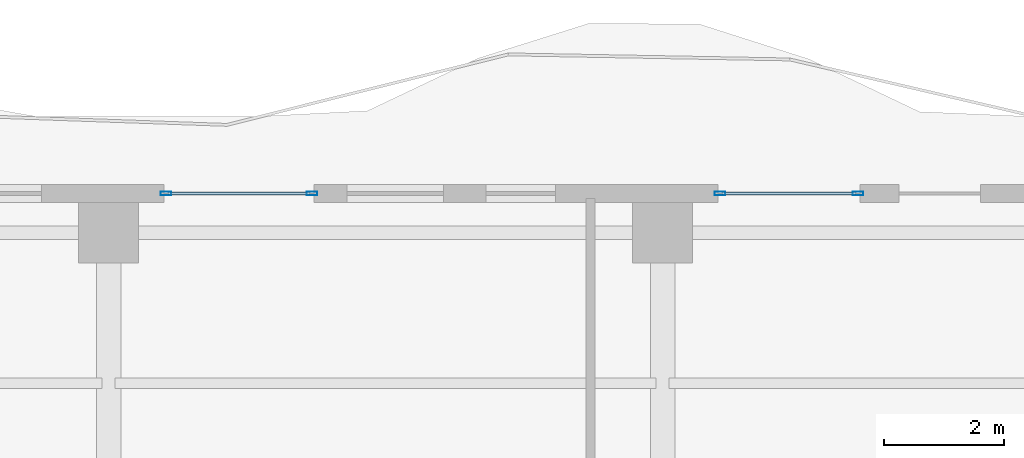
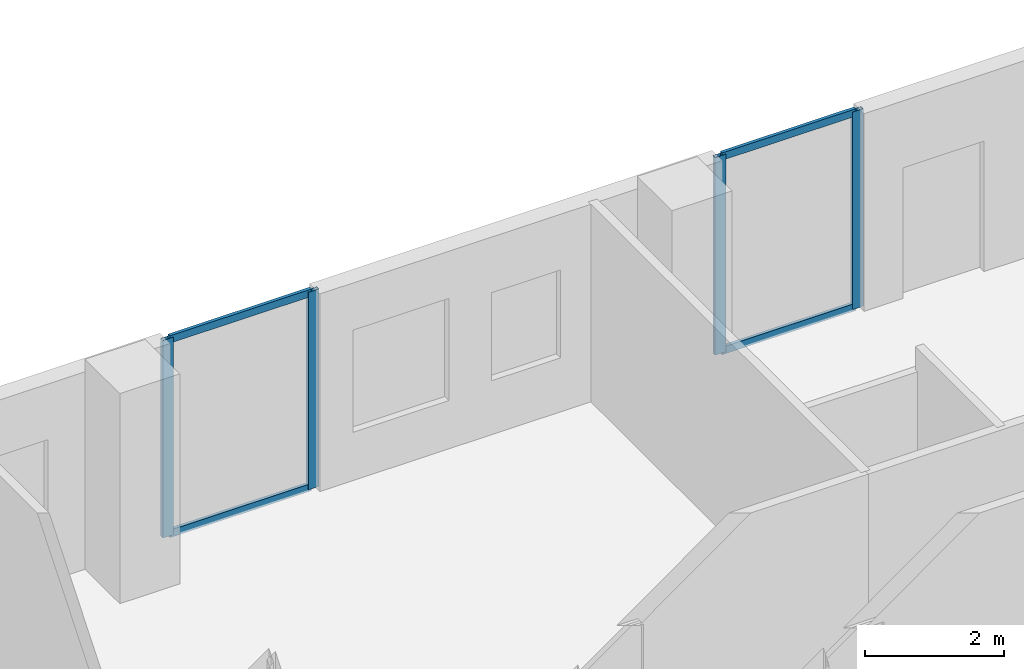
# One storey, part 14 of 24: 8 members, 2 elements without a shape of their own.
"""IFC4 building model written with IfcOpenShell, lengths in metres."""

import ifcopenshell
import ifcopenshell.guid

model = None  # the IFC model being written
_history = None  # IfcOwnerHistory: only IFC2X3 demands one
_inside = {}  # id of a spatial element -> (the spatial element, [elements in it])
_under = {}  # id of a project, library or spatial element -> (it, [spatial elements below it])
_declared = {}  # id of a project -> (the project, [libraries it declares])
_typed = {}  # id of a type object -> (the type object, [elements of that type])
_made_of = {}  # id of a material, layer set ... -> (it, [elements and type objects made of it])


def new_model(schema):
    """Start an empty IFC model of exactly this schema.

    Asked for "IFC4X3", IfcOpenShell would pick the latest addendum, in which some entities
    have other attributes; the version numbers below select the first issue.
    IFC2X3 requires an IfcOwnerHistory on every rooted entity: one is made here for all.
    """
    global model, _history
    if schema == "IFC4X3":
        model = ifcopenshell.file(schema_version=(4, 3, 0, 0))
    else:
        model = ifcopenshell.file(schema=schema)
    _inside.clear()
    _under.clear()
    _declared.clear()
    _typed.clear()
    _made_of.clear()
    _history = None
    if model.schema == "IFC2X3":
        org = make("IfcOrganization", Name="unknown")
        user = make(
            "IfcPersonAndOrganization",
            ThePerson=make("IfcPerson", FamilyName="unknown"),
            TheOrganization=org,
        )
        app = make(
            "IfcApplication",
            ApplicationDeveloper=org,
            Version="unknown",
            ApplicationFullName="unknown",
            ApplicationIdentifier="unknown",
        )
        _history = make(
            "IfcOwnerHistory",
            OwningUser=user,
            OwningApplication=app,
            ChangeAction="ADDED",
            CreationDate=0,
        )
    return model


def make(cls, **values):
    """One entity of the class cls with the attributes given. An attribute that is None is left unset."""
    return model.create_entity(
        cls, **{name: value for name, value in values.items() if value is not None}
    )


def rooted(cls, **values):
    """An entity with a GlobalId (a new one), such as an element, a storey or a relation."""
    return make(cls, GlobalId=ifcopenshell.guid.new(), OwnerHistory=_history, **values)


def si_unit(unit_type, name, prefix=None):
    """IfcSIUnit, for example si_unit("LENGTHUNIT", "METRE", prefix="MILLI")."""
    return make("IfcSIUnit", UnitType=unit_type, Prefix=prefix, Name=name)


def assignment(units):
    """IfcUnitAssignment: the units of a project."""
    return None if units is None else make("IfcUnitAssignment", Units=units)


def point(xyz):
    """IfcCartesianPoint."""
    return None if xyz is None else make("IfcCartesianPoint", Coordinates=xyz)


def direction(xyz):
    """IfcDirection."""
    return None if xyz is None else make("IfcDirection", DirectionRatios=xyz)


def frame(location, z_axis=None, x_axis=None):
    """IfcAxis2Placement3D, a coordinate frame: its origin and axes. An axis left out is left unset."""
    return make(
        "IfcAxis2Placement3D",
        Location=point(location),
        Axis=direction(z_axis),
        RefDirection=direction(x_axis),
    )


def frame_2d(location, x_axis=None):
    """IfcAxis2Placement2D, a coordinate frame in the plane: its origin and x axis."""
    return make(
        "IfcAxis2Placement2D", Location=point(location), RefDirection=direction(x_axis)
    )


def origin():
    """The frame at (0, 0, 0) with its axes left unset."""
    return frame((0.0, 0.0, 0.0))


def origin_2d():
    """The frame at (0, 0) in the plane with its x axis left unset."""
    return frame_2d((0.0, 0.0))


def place(relative_to, where):
    """IfcLocalPlacement: puts the frame where relative to a parent placement (None: the world)."""
    return make(
        "IfcLocalPlacement", PlacementRelTo=relative_to, RelativePlacement=where
    )


def context(
    kind, dimensions, precision=None, world=None, true_north=None, identifier=None
):
    """IfcGeometricRepresentationContext, for example the 3D "Model" context."""
    return make(
        "IfcGeometricRepresentationContext",
        ContextIdentifier=identifier,
        ContextType=kind,
        CoordinateSpaceDimension=dimensions,
        Precision=precision,
        WorldCoordinateSystem=world,
        TrueNorth=true_north,
    )


def subcontext(parent, identifier, kind, view, scale=None):
    """IfcGeometricRepresentationSubContext, for example "Body" below "Model"."""
    return make(
        "IfcGeometricRepresentationSubContext",
        ContextIdentifier=identifier,
        ContextType=kind,
        ParentContext=parent,
        TargetScale=scale,
        TargetView=view,
    )


def project(units=None, contexts=None):
    """IfcProject with its units and contexts."""
    return rooted(
        "IfcProject",
        Name="project",
        RepresentationContexts=contexts,
        UnitsInContext=assignment(units),
    )


def spatial(cls, under=None, at=None, **own):
    """A site, building, storey or space (cls), placed at a placement, below another one or the project."""
    s = rooted(cls, ObjectPlacement=at, **own)
    if under is not None:
        _under.setdefault(under.id(), (under, []))[1].append(s)
    return s


def profile(cls, at=None, kind="AREA", **sizes):
    """A parametric profile (cls). Its sizes go by their IFC names, for example OverallWidth=200.0."""
    return make(cls, ProfileType=kind, Position=at, **sizes)


def hollow_rectangle(**sizes):
    """IfcRectangleHollowProfileDef."""
    return profile("IfcRectangleHollowProfileDef", **sizes)


def extrude(swept, where, along, depth):
    """IfcExtrudedAreaSolid: the profile swept, set in the frame where, extruded along a direction by depth."""
    return make(
        "IfcExtrudedAreaSolid",
        SweptArea=swept,
        Position=where,
        ExtrudedDirection=direction(along),
        Depth=depth,
    )


def shape(context_of_items, identifier, shape_type, items):
    """IfcShapeRepresentation: the items that make up one representation, for example the "Body"."""
    return make(
        "IfcShapeRepresentation",
        ContextOfItems=context_of_items,
        RepresentationIdentifier=identifier,
        RepresentationType=shape_type,
        Items=items,
    )


def material(Name=None, Category=None):
    """IfcMaterial."""
    return make("IfcMaterial", Name=Name, Category=Category)


def layer(
    of_material, thickness, ventilated=None, Name=None, Category=None, Priority=None
):
    """IfcMaterialLayer: one layer of a wall or slab, of a material (None: an air gap)."""
    return make(
        "IfcMaterialLayer",
        Material=of_material,
        LayerThickness=thickness,
        IsVentilated=ventilated,
        Name=Name,
        Category=Category,
        Priority=Priority,
    )


def layer_set(layers, Name=None):
    """IfcMaterialLayerSet."""
    return make("IfcMaterialLayerSet", MaterialLayers=layers, LayerSetName=Name)


def material_profile(
    of_material, cross_section, Name=None, Category=None, Priority=None
):
    """IfcMaterialProfile: a cross section and its material."""
    return make(
        "IfcMaterialProfile",
        Name=Name,
        Material=of_material,
        Profile=cross_section,
        Priority=Priority,
        Category=Category,
    )


def profile_set(profiles, Name=None, composite=None):
    """IfcMaterialProfileSet."""
    return make(
        "IfcMaterialProfileSet",
        Name=Name,
        MaterialProfiles=profiles,
        CompositeProfile=composite,
    )


def made_of(thing, what):
    """Note that an element or type object is made of a material, layer set ...; save() writes the relation."""
    if what is not None:
        _made_of.setdefault(what.id(), (what, []))[1].append(thing)
    return thing


def type_object(cls, material=None, **own):
    """A type object (cls), such as IfcWallType, which elements share."""
    return made_of(rooted(cls, **own), material)


def element(
    cls,
    number,
    at=None,
    inside=None,
    cuts=None,
    type_object=None,
    material=None,
    context=None,
    identifier="Body",
    shape_type=None,
    held_by="IfcProductDefinitionShape",
    body=None,
    shapes=None,
    **own,
):
    """One element of the class cls, such as IfcWall. Its Tag is "e" and its number.

    at: its placement. inside: the storey or other place that contains it. cuts: it is an
    opening in that element (IfcRelVoidsElement). A single representation is given by context,
    identifier, shape_type and body (its items); several are given by shapes. held_by: the class
    of the entity that holds the representations. save() writes the other relations.
    """
    e = rooted(cls, Tag="e%d" % number, ObjectPlacement=at, **own)
    if body is not None:
        shapes = [shape(context, identifier, shape_type, body)]
    if shapes is not None:
        e.Representation = make(held_by, Representations=shapes)
    if inside is not None:
        _inside.setdefault(inside.id(), (inside, []))[1].append(e)
    if cuts is not None:
        rooted(
            "IfcRelVoidsElement", RelatingBuildingElement=cuts, RelatedOpeningElement=e
        )
    if type_object is not None:
        _typed.setdefault(type_object.id(), (type_object, []))[1].append(e)
    return made_of(e, material)


def aggregate(whole, parts):
    """IfcRelAggregates: a whole, such as a stair, and the parts it consists of."""
    return rooted("IfcRelAggregates", RelatingObject=whole, RelatedObjects=parts)


def save(model, path):
    """Write the relations noted so far, then the file.

    IfcRelAggregates (storeys below a building ...), IfcRelContainedInSpatialStructure (elements
    in a storey), IfcRelDefinesByType, IfcRelAssociatesMaterial and IfcRelDeclares: one each for
    every whole, place, type object, material and project.
    """
    for whole, parts in _under.values():
        aggregate(whole, parts)
    for where, things in _inside.values():
        rooted(
            "IfcRelContainedInSpatialStructure",
            RelatedElements=things,
            RelatingStructure=where,
        )
    for kind, things in _typed.values():
        rooted("IfcRelDefinesByType", RelatedObjects=things, RelatingType=kind)
    for what, things in _made_of.values():
        rooted("IfcRelAssociatesMaterial", RelatedObjects=things, RelatingMaterial=what)
    for by, libraries in _declared.values():
        rooted("IfcRelDeclares", RelatingContext=by, RelatedDefinitions=libraries)
    model.write(path)


model = new_model("IFC4")

# Units and contexts
model_context = context("Model", 3, precision=1e-05, world=origin(), true_north=direction((0.0, 1.0)))
body_context = subcontext(model_context, "Body", "Model", "MODEL_VIEW")
ifc_project = project(units=[si_unit("LENGTHUNIT", "METRE"), si_unit("AREAUNIT", "SQUARE_METRE"), si_unit("VOLUMEUNIT", "CUBIC_METRE"), si_unit("PLANEANGLEUNIT", "RADIAN"), si_unit("MASSUNIT", "GRAM", prefix="KILO")], contexts=[model_context])

# Site, building, storey
site_placement = place(None, origin())
site = spatial("IfcSite", under=ifc_project, at=site_placement, CompositionType="ELEMENT")
building_placement = place(site_placement, origin())
building = spatial("IfcBuilding", under=site, at=building_placement, Name="Zuhayl Quay Hotel", CompositionType="ELEMENT")
storey_placement = place(building_placement, frame((0.0, 0.0, 269.25)))
storey = spatial("IfcBuildingStorey", under=building, at=storey_placement, Name="L68", CompositionType="ELEMENT", Elevation=269.25)

# Curtain wall, members
ifc_material_1 = material(Name="Anodised Aluminium 6063-T6", Category="aluminium")
ifc_layer = layer(ifc_material_1, 0.169921875, Name="Anodised Aluminium 6063-T6", Category="aluminium")
ifc_layer_set = layer_set([ifc_layer], Name="Anodised Aluminium 6063-T6")
curtain_wall_type = type_object("IfcCurtainWallType", Name="CW_SYS_Z4", PredefinedType="USERDEFINED", material=ifc_layer_set)
curtain_wall_1_placement = place(storey_placement, origin())
curtain_wall_1 = element("IfcCurtainWall", 1, at=curtain_wall_1_placement, inside=storey, type_object=curtain_wall_type, Name="L68 Curtain Wall ENV_L68_N_CW2", ObjectType="UNITISED CURTAIN WALL", PredefinedType="USERDEFINED")
ifc_material_2 = material(Name="Black-anodised aluminium 6063-T6", Category="aluminium")
ifc_material_profile_1 = material_profile(ifc_material_2, hollow_rectangle(XDim=0.06494140625, YDim=0.179931640625, WallThickness=0.00341796875, at=origin_2d()), Name="ALU180X65")
ifc_profile_set_1 = profile_set([ifc_material_profile_1], Name="Black-anodised aluminium 6063-T6")
member_type_1 = type_object("IfcMemberType", Name="MB_CW_MUL_180", PredefinedType="MULLION", material=ifc_profile_set_1)
member_1_placement = place(storey_placement, frame((-3.6474609375, 39.0, 0.0), z_axis=(0.0, 0.0, 1.0), x_axis=(0.0, 1.0, 0.0)))
member_1 = element("IfcMember", 2, at=member_1_placement, type_object=member_type_1, Name="CW-Z4 mullion 1", PredefinedType="MULLION", context=body_context, shape_type="SweptSolid", body=[
    extrude(hollow_rectangle(XDim=0.06494140625, YDim=0.179931640625, WallThickness=0.00341796875, at=origin_2d()), origin(), (0.0, 0.0, 1.0), 3.47998046875),
])
member_2_placement = place(storey_placement, frame((-1.222412109375, 39.0, 0.0), z_axis=(0.0, 0.0, 1.0), x_axis=(0.0, 1.0, 0.0)))
member_2 = element("IfcMember", 3, at=member_2_placement, type_object=member_type_1, Name="CW-Z4 mullion 2", PredefinedType="MULLION", context=body_context, shape_type="SweptSolid", body=[
    extrude(hollow_rectangle(XDim=0.06494140625, YDim=0.179931640625, WallThickness=0.00341796875, at=origin_2d()), origin(), (0.0, 0.0, 1.0), 3.47998046875),
])

curtain_wall_2_placement = place(storey_placement, origin())
curtain_wall_2 = element("IfcCurtainWall", 4, at=curtain_wall_2_placement, inside=storey, type_object=curtain_wall_type, Name="L68 Curtain Wall ENV_L68_N_CW3", ObjectType="UNITISED CURTAIN WALL", PredefinedType="USERDEFINED")
member_3_placement = place(storey_placement, frame((5.552490234375, 39.0, 0.0), z_axis=(0.0, 0.0, 1.0), x_axis=(0.0, 1.0, 0.0)))
member_3 = element("IfcMember", 5, at=member_3_placement, type_object=member_type_1, Name="CW-Z4 mullion 1", PredefinedType="MULLION", context=body_context, shape_type="SweptSolid", body=[
    extrude(hollow_rectangle(XDim=0.06494140625, YDim=0.179931640625, WallThickness=0.00341796875, at=origin_2d()), origin(), (0.0, 0.0, 1.0), 3.47998046875),
])
member_4_placement = place(storey_placement, frame((7.845458984375, 39.0, 0.0), z_axis=(0.0, 0.0, 1.0), x_axis=(0.0, 1.0, 0.0)))
member_4 = element("IfcMember", 6, at=member_4_placement, type_object=member_type_1, Name="CW-Z4 mullion 2", PredefinedType="MULLION", context=body_context, shape_type="SweptSolid", body=[
    extrude(hollow_rectangle(XDim=0.06494140625, YDim=0.179931640625, WallThickness=0.00341796875, at=origin_2d()), origin(), (0.0, 0.0, 1.0), 3.47998046875),
])

# Member
ifc_material_profile_2 = material_profile(ifc_material_2, hollow_rectangle(XDim=0.054931640625, YDim=0.1298828125, WallThickness=0.0029296875, at=origin_2d()), Name="ALU130X55")
ifc_profile_set_2 = profile_set([ifc_material_profile_2], Name="Black-anodised aluminium 6063-T6")
member_type_2 = type_object("IfcMemberType", Name="MB_CW_TRN_130", PredefinedType="USERDEFINED", material=ifc_profile_set_2)
member_5_placement = place(storey_placement, frame((-3.614990234375, 39.0, 0.027587890625), z_axis=(1.0, 0.0, 0.0), x_axis=(0.0, 1.0, 0.0)))
member_5 = element("IfcMember", 7, at=member_5_placement, type_object=member_type_2, Name="CW-Z4 transom 1.1", ObjectType="TRANSOM", PredefinedType="USERDEFINED", context=body_context, shape_type="SweptSolid", body=[
    extrude(hollow_rectangle(XDim=0.054931640625, YDim=0.1298828125, WallThickness=0.0029296875, at=origin_2d()), origin(), (0.0, 0.0, 1.0), 2.360107421875),
])

member_6_placement = place(storey_placement, frame((-3.614990234375, 39.0, 3.452392578125), z_axis=(1.0, 0.0, 0.0), x_axis=(0.0, 1.0, 0.0)))
member_6 = element("IfcMember", 8, at=member_6_placement, type_object=member_type_2, Name="CW-Z4 transom 1.2", ObjectType="TRANSOM", PredefinedType="USERDEFINED", context=body_context, shape_type="SweptSolid", body=[
    extrude(hollow_rectangle(XDim=0.054931640625, YDim=0.1298828125, WallThickness=0.0029296875, at=origin_2d()), origin(), (0.0, 0.0, 1.0), 2.360107421875),
])

aggregate(curtain_wall_1, [member_1, member_2, member_5, member_6])

member_7_placement = place(storey_placement, frame((5.5849609375, 39.0, 0.027587890625), z_axis=(1.0, 0.0, 0.0), x_axis=(0.0, 1.0, 0.0)))
member_7 = element("IfcMember", 9, at=member_7_placement, type_object=member_type_2, Name="CW-Z4 transom 1.1", ObjectType="TRANSOM", PredefinedType="USERDEFINED", context=body_context, shape_type="SweptSolid", body=[
    extrude(hollow_rectangle(XDim=0.054931640625, YDim=0.1298828125, WallThickness=0.0029296875, at=origin_2d()), origin(), (0.0, 0.0, 1.0), 2.22802734375),
])

member_8_placement = place(storey_placement, frame((5.5849609375, 39.0, 3.452392578125), z_axis=(1.0, 0.0, 0.0), x_axis=(0.0, 1.0, 0.0)))
member_8 = element("IfcMember", 10, at=member_8_placement, type_object=member_type_2, Name="CW-Z4 transom 1.2", ObjectType="TRANSOM", PredefinedType="USERDEFINED", context=body_context, shape_type="SweptSolid", body=[
    extrude(hollow_rectangle(XDim=0.054931640625, YDim=0.1298828125, WallThickness=0.0029296875, at=origin_2d()), origin(), (0.0, 0.0, 1.0), 2.22802734375),
])

aggregate(curtain_wall_2, [member_3, member_4, member_7, member_8])

save(model, "model.ifc")
